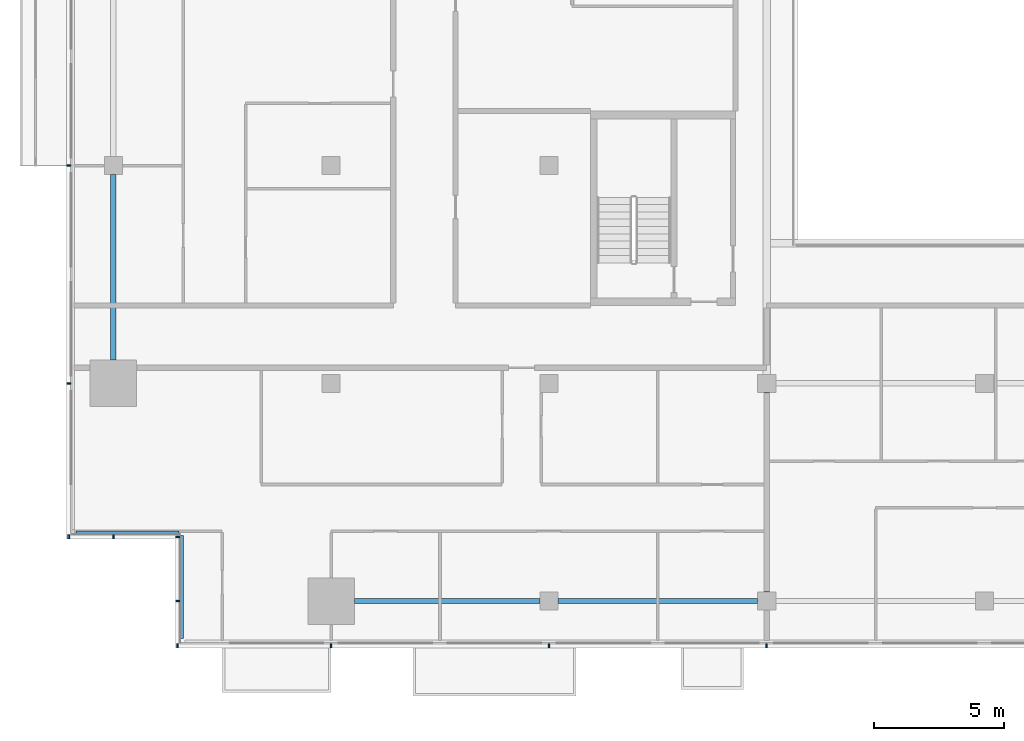
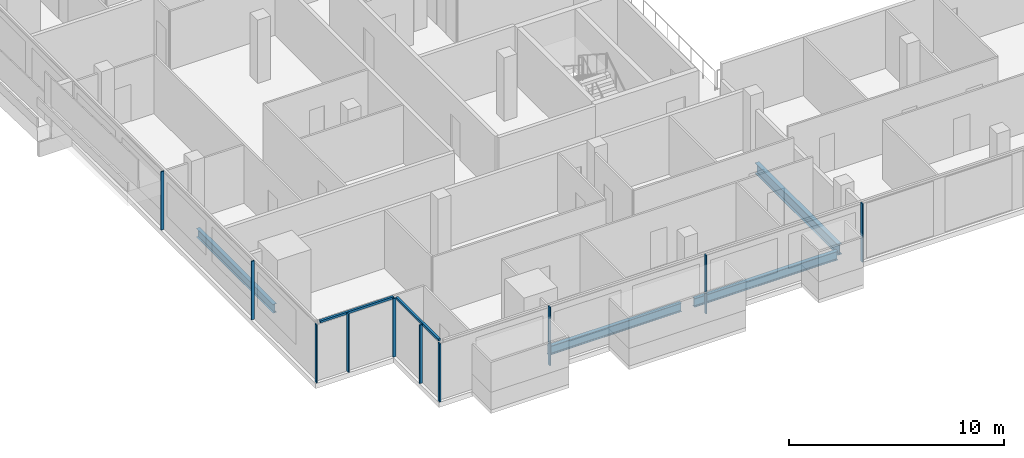
# One storey, part 2 of 29: 12 members, 4 beams, 4 elements without a shape of their own.
"""IFC4 building model written with IfcOpenShell, lengths in metres."""

from ifc_helpers import new_model, si_unit, direction, frame, origin, origin_2d, place, context, subcontext, project, spatial, rectangle, i_section, extrude, material, material_profile, profile_set, type_object, element, aggregate, save


model = new_model("IFC4")

# Units and contexts
model_context = context("Model", 3, precision=1e-05, world=origin(), true_north=direction((0.0, 1.0)))
body_context = subcontext(model_context, "Body", "Model", "MODEL_VIEW")
ifc_project = project(units=[si_unit("LENGTHUNIT", "METRE"), si_unit("AREAUNIT", "SQUARE_METRE"), si_unit("VOLUMEUNIT", "CUBIC_METRE"), si_unit("PLANEANGLEUNIT", "RADIAN"), si_unit("MASSUNIT", "GRAM", prefix="KILO")], contexts=[model_context])

# Site, building, storey
site_placement = place(None, origin())
site = spatial("IfcSite", under=ifc_project, at=site_placement, CompositionType="ELEMENT")
building_placement = place(site_placement, origin())
building = spatial("IfcBuilding", under=site, at=building_placement, Name="Saffron Gate Tower", CompositionType="ELEMENT")
storey_placement = place(building_placement, frame((0.0, 0.0, 161.85009765625)))
storey = spatial("IfcBuildingStorey", under=building, at=storey_placement, Name="L39", CompositionType="ELEMENT", Elevation=161.85009765625)

# Beams
ifc_material_1 = material(Name="Structural steel S355", Category="steel")
ifc_material_profile_1 = material_profile(ifc_material_1, i_section(OverallWidth=0.199951171875, OverallDepth=0.5, WebThickness=0.01025390625, FlangeThickness=0.01611328125, FilletRadius=0.02099609375, at=origin_2d()))
ifc_profile_set_1 = profile_set([ifc_material_profile_1], Name="Structural steel S355")
beam_type_1 = type_object("IfcBeamType", Name="B11 IPE 500", PredefinedType="SPANDREL", material=ifc_profile_set_1)
for number, where, z_axis, x_axis, name in (
    (1, (49.800048828125, 41.10009765625, -0.530029296875), (0.0, 1.0, 0.0), (-1.0, 0.0, 0.0), "B11 SPANDREL BEAM"),
    (2, (59.10009765625, 31.800048828125, -0.530029296875), (1.0, 0.0, 0.0), (0.0, 1.0, 0.0), "B11 SPANDREL BEAM"),
):
    element("IfcBeam", number, at=place(storey_placement, frame(where, z_axis=z_axis, x_axis=x_axis)), inside=storey, type_object=beam_type_1, Name=name, PredefinedType="SPANDREL", context=body_context, shape_type="SweptSolid", body=[
        extrude(i_section(OverallWidth=0.199951171875, OverallDepth=0.5, WebThickness=0.01025390625, FlangeThickness=0.01611328125, FilletRadius=0.02099609375, at=origin_2d()), origin(), (0.0, 0.0, 1.0), 7.14990234375),
    ])
beam_1_placement = place(storey_placement, frame((66.949951171875, 31.800048828125, -0.530029296875), z_axis=(1.0, 0.0, 0.0), x_axis=(0.0, 1.0, 0.0)))
element("IfcBeam", 3, at=beam_1_placement, inside=storey, type_object=beam_type_1, Name="B11 SPANDREL BEAM", PredefinedType="SPANDREL", context=body_context, shape_type="SweptSolid", body=[
    extrude(i_section(OverallWidth=0.199951171875, OverallDepth=0.5, WebThickness=0.01025390625, FlangeThickness=0.01611328125, FilletRadius=0.02099609375, at=origin_2d()), origin(), (0.0, 0.0, 1.0), 7.699951171875),
])
ifc_material_profile_2 = material_profile(ifc_material_1, i_section(OverallWidth=0.219970703125, OverallDepth=0.60009765625, WebThickness=0.011962890625, FlangeThickness=0.01904296875, FilletRadius=0.02392578125, at=origin_2d()))
ifc_profile_set_2 = profile_set([ifc_material_profile_2], Name="Structural steel S355")
beam_type_2 = type_object("IfcBeamType", Name="B15 IPE 600", PredefinedType="BEAM", material=ifc_profile_set_2)
beam_2_placement = place(storey_placement, frame((75.0, 32.14990234375, -0.580078125), z_axis=(0.0, 1.0, 0.0), x_axis=(-1.0, 0.0, 0.0)))
element("IfcBeam", 4, at=beam_2_placement, inside=storey, type_object=beam_type_2, Name="B15 FLOOR GIRDER", PredefinedType="BEAM", context=body_context, shape_type="SweptSolid", body=[
    extrude(i_section(OverallWidth=0.219970703125, OverallDepth=0.60009765625, WebThickness=0.011962890625, FlangeThickness=0.01904296875, FilletRadius=0.02392578125, at=origin_2d()), origin(), (0.0, 0.0, 1.0), 7.7001953125),
])

# Curtain wall, members
ifc_material_2 = material(Name="Aluminium, bronze anodised", Category="aluminium")
curtain_wall_type_1 = type_object("IfcCurtainWallType", Name="CWS1 curtain wall front facade", PredefinedType="NOTDEFINED", material=ifc_material_2)
curtain_wall_1_placement = place(storey_placement, origin())
curtain_wall_1 = element("IfcCurtainWall", 5, at=curtain_wall_1_placement, inside=storey, type_object=curtain_wall_type_1, Name="CWS1 run 1", PredefinedType="NOTDEFINED")
ifc_material_profile_3 = material_profile(ifc_material_2, rectangle(XDim=0.159912109375, YDim=0.06005859375, at=origin_2d()))
ifc_profile_set_3 = profile_set([ifc_material_profile_3], Name="Aluminium, bronze anodised")
member_type_1 = type_object("IfcMemberType", Name="CWS1 mullion 60x160", PredefinedType="MULLION", material=ifc_profile_set_3)
member_1_placement = place(storey_placement, frame((52.280029296875, 30.080078125, 0.0), z_axis=(0.0, 0.0, 1.0), x_axis=(0.0, 1.0, 0.0)))
member_1 = element("IfcMember", 6, at=member_1_placement, type_object=member_type_1, Name="CWS1 mullion 1", PredefinedType="MULLION", context=body_context, shape_type="SweptSolid", body=[
    extrude(rectangle(XDim=0.159912109375, YDim=0.06005859375, at=origin_2d()), origin(), (0.0, 0.0, 1.0), 3.31982421875),
])
member_2_placement = place(storey_placement, frame((58.199951171875, 30.080078125, 0.0), z_axis=(0.0, 0.0, 1.0), x_axis=(0.0, 1.0, 0.0)))
member_2 = element("IfcMember", 7, at=member_2_placement, type_object=member_type_1, Name="CWS1 mullion 2", PredefinedType="MULLION", context=body_context, shape_type="SweptSolid", body=[
    extrude(rectangle(XDim=0.159912109375, YDim=0.06005859375, at=origin_2d()), origin(), (0.0, 0.0, 1.0), 3.31982421875),
])
member_3_placement = place(storey_placement, frame((66.60009765625, 30.080078125, 0.0), z_axis=(0.0, 0.0, 1.0), x_axis=(0.0, 1.0, 0.0)))
member_3 = element("IfcMember", 8, at=member_3_placement, type_object=member_type_1, Name="CWS1 mullion 3", PredefinedType="MULLION", context=body_context, shape_type="SweptSolid", body=[
    extrude(rectangle(XDim=0.159912109375, YDim=0.06005859375, at=origin_2d()), origin(), (0.0, 0.0, 1.0), 3.31982421875),
])
member_4_placement = place(storey_placement, frame((75.0, 30.080078125, 0.0), z_axis=(0.0, 0.0, 1.0), x_axis=(0.0, 1.0, 0.0)))
member_4 = element("IfcMember", 9, at=member_4_placement, type_object=member_type_1, Name="CWS1 mullion 4", PredefinedType="MULLION", context=body_context, shape_type="SweptSolid", body=[
    extrude(rectangle(XDim=0.159912109375, YDim=0.06005859375, at=origin_2d()), origin(), (0.0, 0.0, 1.0), 3.31982421875),
])
aggregate(curtain_wall_1, [member_1, member_2, member_3, member_4])

curtain_wall_type_2 = type_object("IfcCurtainWallType", Name="CWS2 curtain wall side facades", PredefinedType="NOTDEFINED", material=ifc_material_2)
curtain_wall_2_placement = place(storey_placement, origin())
curtain_wall_2 = element("IfcCurtainWall", 10, at=curtain_wall_2_placement, inside=storey, type_object=curtain_wall_type_2, Name="CWS2 run 10", PredefinedType="NOTDEFINED")
ifc_material_profile_4 = material_profile(ifc_material_2, rectangle(XDim=0.159912109375, YDim=0.06005859375, at=origin_2d()))
ifc_profile_set_4 = profile_set([ifc_material_profile_4], Name="Aluminium, bronze anodised")
member_type_2 = type_object("IfcMemberType", Name="CWS2 mullion 60x160", PredefinedType="MULLION", material=ifc_profile_set_4)
member_5_placement = place(storey_placement, frame((48.080078125, 48.60009765625, 0.0), z_axis=(0.0, 0.0, 1.0), x_axis=(1.0, 0.0, 0.0)))
member_5 = element("IfcMember", 11, at=member_5_placement, type_object=member_type_2, Name="CWS2 mullion 4", PredefinedType="MULLION", context=body_context, shape_type="SweptSolid", body=[
    extrude(rectangle(XDim=0.159912109375, YDim=0.06005859375, at=origin_2d()), origin(), (0.0, 0.0, 1.0), 3.31982421875),
])
member_6_placement = place(storey_placement, frame((48.080078125, 40.199951171875, 0.0), z_axis=(0.0, 0.0, 1.0), x_axis=(1.0, 0.0, 0.0)))
member_6 = element("IfcMember", 12, at=member_6_placement, type_object=member_type_2, Name="CWS2 mullion 5", PredefinedType="MULLION", context=body_context, shape_type="SweptSolid", body=[
    extrude(rectangle(XDim=0.159912109375, YDim=0.06005859375, at=origin_2d()), origin(), (0.0, 0.0, 1.0), 3.31982421875),
])
aggregate(curtain_wall_2, [member_5, member_6])

# Curtain wall, member
curtain_wall_type_3 = type_object("IfcCurtainWallType", Name="CWS4 curtain wall corner returns", PredefinedType="NOTDEFINED", material=ifc_material_2)
curtain_wall_3_placement = place(storey_placement, origin())
curtain_wall_3 = element("IfcCurtainWall", 13, at=curtain_wall_3_placement, inside=storey, type_object=curtain_wall_type_3, Name="CWS4 run 11", PredefinedType="NOTDEFINED")
ifc_material_profile_5 = material_profile(ifc_material_2, rectangle(XDim=0.1201171875, YDim=0.1201171875, at=origin_2d()))
ifc_profile_set_5 = profile_set([ifc_material_profile_5], Name="Aluminium, bronze anodised")
member_type_3 = type_object("IfcMemberType", Name="CWS4 head transom", PredefinedType="USERDEFINED", material=ifc_profile_set_5)
member_7_placement = place(storey_placement, frame((48.367919921875, 34.447998046875, 3.260009765625), z_axis=(1.0, 0.0, 0.0), x_axis=(0.0, 1.0, 0.0)))
member_7 = element("IfcMember", 14, at=member_7_placement, type_object=member_type_3, Name="CWS4 head transom", ObjectType="TRANSOM", PredefinedType="USERDEFINED", context=body_context, shape_type="SweptSolid", body=[
    extrude(rectangle(XDim=0.1201171875, YDim=0.1201171875, at=origin_2d()), origin(), (0.0, 0.0, 1.0), 3.9599609375),
])

curtain_wall_4_placement = place(storey_placement, origin())
curtain_wall_4 = element("IfcCurtainWall", 15, at=curtain_wall_4_placement, inside=storey, type_object=curtain_wall_type_3, Name="CWS4 run 12", PredefinedType="NOTDEFINED")
member_8_placement = place(storey_placement, frame((52.447998046875, 34.327880859375, 3.260009765625), z_axis=(0.0, -1.0, 0.0), x_axis=(1.0, 0.0, 0.0)))
member_8 = element("IfcMember", 16, at=member_8_placement, type_object=member_type_3, Name="CWS4 head transom", ObjectType="TRANSOM", PredefinedType="USERDEFINED", context=body_context, shape_type="SweptSolid", body=[
    extrude(rectangle(XDim=0.1201171875, YDim=0.1201171875, at=origin_2d()), origin(), (0.0, 0.0, 1.0), 3.9599609375),
])

# Member
ifc_material_profile_6 = material_profile(ifc_material_2, rectangle(XDim=0.159912109375, YDim=0.06005859375, at=origin_2d()))
ifc_profile_set_6 = profile_set([ifc_material_profile_6], Name="Aluminium, bronze anodised")
member_type_4 = type_object("IfcMemberType", Name="CWS4 mullion 60x160", PredefinedType="MULLION", material=ifc_profile_set_6)
member_9_placement = place(storey_placement, frame((48.080078125, 34.280029296875, 0.0), z_axis=(0.0, 0.0, 1.0), x_axis=(0.0, 1.0, 0.0)))
member_9 = element("IfcMember", 17, at=member_9_placement, type_object=member_type_4, Name="CWS4 mullion 1", PredefinedType="MULLION", context=body_context, shape_type="SweptSolid", body=[
    extrude(rectangle(XDim=0.159912109375, YDim=0.06005859375, at=origin_2d()), origin(), (0.0, 0.0, 1.0), 3.31982421875),
])

member_10_placement = place(storey_placement, frame((49.800048828125, 34.280029296875, 0.0), z_axis=(0.0, 0.0, 1.0), x_axis=(0.0, 1.0, 0.0)))
member_10 = element("IfcMember", 18, at=member_10_placement, type_object=member_type_4, Name="CWS4 mullion 2", PredefinedType="MULLION", context=body_context, shape_type="SweptSolid", body=[
    extrude(rectangle(XDim=0.159912109375, YDim=0.06005859375, at=origin_2d()), origin(), (0.0, 0.0, 1.0), 3.31982421875),
])

aggregate(curtain_wall_3, [member_9, member_10, member_7])

member_11_placement = place(storey_placement, frame((52.280029296875, 34.280029296875, 0.0), z_axis=(0.0, 0.0, 1.0), x_axis=(1.0, 0.0, 0.0)))
member_11 = element("IfcMember", 19, at=member_11_placement, type_object=member_type_4, Name="CWS4 mullion 1", PredefinedType="MULLION", context=body_context, shape_type="SweptSolid", body=[
    extrude(rectangle(XDim=0.159912109375, YDim=0.06005859375, at=origin_2d()), origin(), (0.0, 0.0, 1.0), 3.31982421875),
])

member_12_placement = place(storey_placement, frame((52.280029296875, 31.800048828125, 0.0), z_axis=(0.0, 0.0, 1.0), x_axis=(1.0, 0.0, 0.0)))
member_12 = element("IfcMember", 20, at=member_12_placement, type_object=member_type_4, Name="CWS4 mullion 2", PredefinedType="MULLION", context=body_context, shape_type="SweptSolid", body=[
    extrude(rectangle(XDim=0.159912109375, YDim=0.06005859375, at=origin_2d()), origin(), (0.0, 0.0, 1.0), 3.31982421875),
])

aggregate(curtain_wall_4, [member_11, member_12, member_8])

save(model, "model.ifc")
